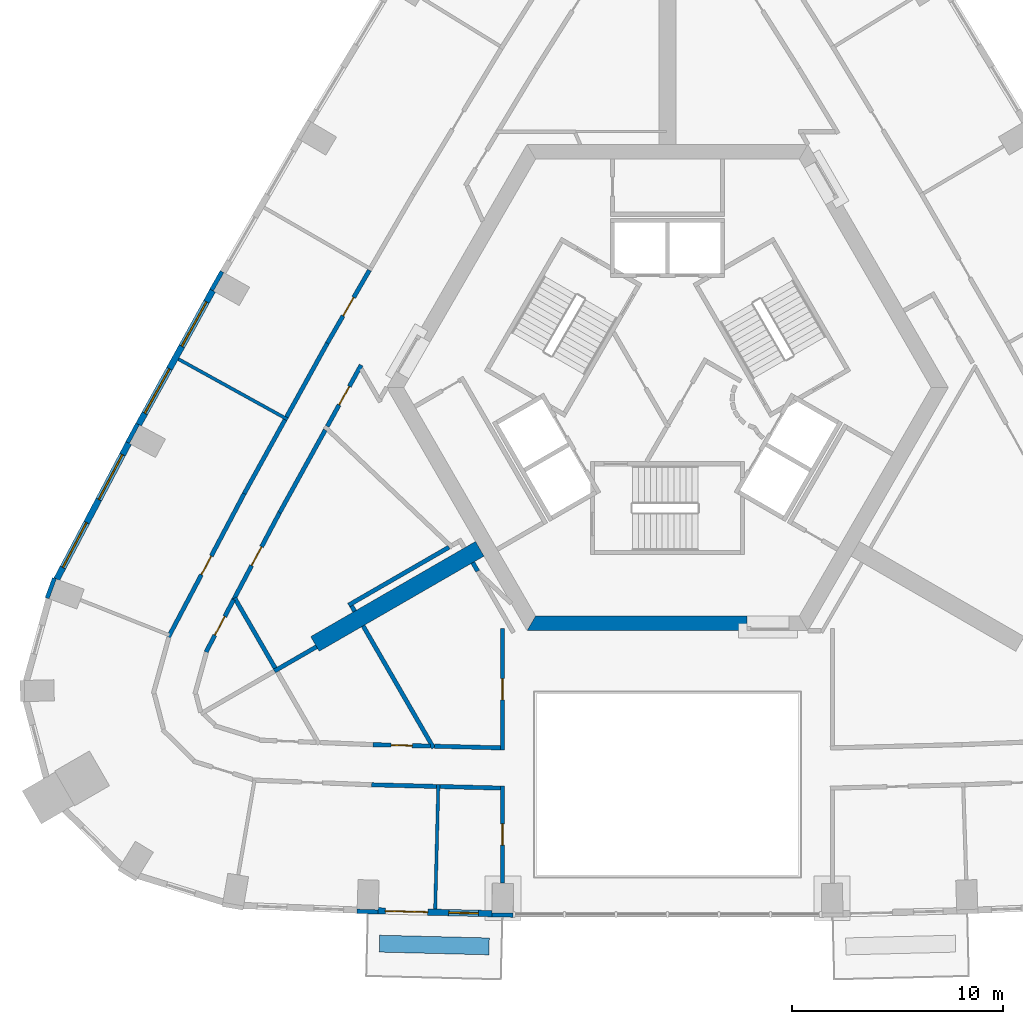
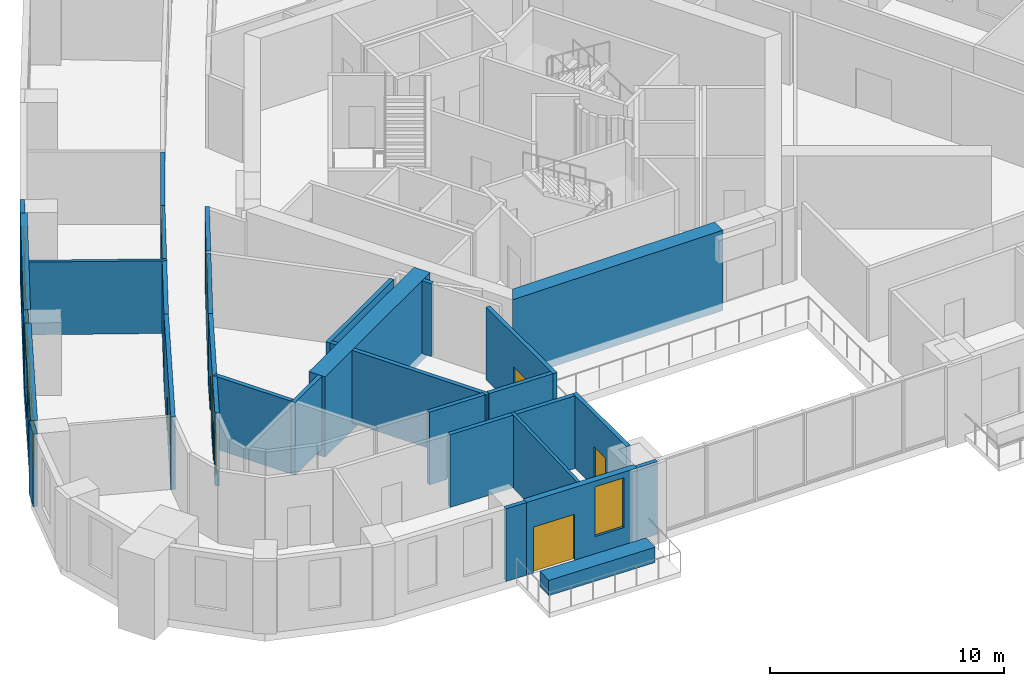
# One storey, part 4 of 11: 33 walls, 9 doors, 5 windows, 14 openings.
"""IFC4 building model written with IfcOpenShell, lengths in metres."""

from ifc_helpers import new_model, si_unit, direction, frame, frame_2d, origin, place, context, subcontext, project, spatial, polyline, rectangle, outline, extrude, material, layer, layer_set, type_object, element, fill, save


model = new_model("IFC4")

# Units and contexts
model_context = context("Model", 3, precision=1e-05, world=origin(), true_north=direction((0.0, 1.0)))
body_context = subcontext(model_context, "Body", "Model", "MODEL_VIEW")
ifc_project = project(units=[si_unit("LENGTHUNIT", "METRE"), si_unit("AREAUNIT", "SQUARE_METRE"), si_unit("VOLUMEUNIT", "CUBIC_METRE"), si_unit("PLANEANGLEUNIT", "RADIAN"), si_unit("MASSUNIT", "GRAM", prefix="KILO")], contexts=[model_context])

# Site, building, storey
site_placement = place(None, origin())
site = spatial("IfcSite", under=ifc_project, at=site_placement, CompositionType="ELEMENT")
building_placement = place(site_placement, origin())
building = spatial("IfcBuilding", under=site, at=building_placement, Name="Entoto Arch Interchange Tower", CompositionType="ELEMENT")
storey_placement = place(building_placement, frame((0.0, 0.0, 206.60009765625)))
storey = spatial("IfcBuildingStorey", under=building, at=storey_placement, Name="L46", CompositionType="ELEMENT", Elevation=206.60009765625)

# Walls
ifc_material_1 = material(Name="Concrete C50/60", Category="concrete")
ifc_layer_1 = layer(ifc_material_1, 0.800048828125)
ifc_layer_set_1 = layer_set([ifc_layer_1], Name="Concrete C50/60")
wall_type_1 = type_object("IfcWallType", Name="Buttress wall 800 C50/60", PredefinedType="SHEAR", material=ifc_layer_set_1)
wall_1_placement = place(storey_placement, frame((-8.876953125, -5.125, -0.400146484375), z_axis=(0.0, 0.0, 1.0), x_axis=(-0.866017533419, -0.500013631625, 0.0)))
element("IfcWall", 1, at=wall_1_placement, inside=storey, type_object=wall_type_1, Name="Buttress wall SW L46", PredefinedType="SHEAR", context=body_context, shape_type="SweptSolid", body=[
    extrude(rectangle(XDim=8.999755859375, YDim=0.800048828125, at=frame_2d((4.5, 0.0))), origin(), (0.0, 0.0, 1.0), 4.199951171875),
])
ifc_layer_2 = layer(ifc_material_1, 0.699951171875)
ifc_layer_set_2 = layer_set([ifc_layer_2], Name="Concrete C50/60")
wall_type_2 = type_object("IfcWallType", Name="Core wall 700 C50/60", PredefinedType="SHEAR", material=ifc_layer_set_2)
wall_2_placement = place(storey_placement, frame((0.0, 0.0, -0.400146484375)))
element("IfcWall", 2, at=wall_2_placement, inside=storey, type_object=wall_type_2, Name="Core wall S L46", PredefinedType="SHEAR", context=body_context, shape_type="SweptSolid", body=[
    extrude(outline(polyline([(3.75, -9.0), (3.75, -8.300048828125), (-6.235107421875, -8.300048828125), (-6.639892578125, -9.0), (3.75, -9.0)])), origin(), (0.0, 0.0, 1.0), 4.199951171875),
])
ifc_material_2 = material(Name="Gypsum board partition on steel studs", Category="steel")
ifc_layer_3 = layer(ifc_material_2, 0.14990234375)
ifc_layer_set_3 = layer_set([ifc_layer_3], Name="Gypsum board partition on steel studs")
wall_type_3 = type_object("IfcWallType", Name="PARTITION 150", PredefinedType="PARTITIONING", material=ifc_layer_set_3)
wall_3_placement = place(storey_placement, frame((-17.964111328125, 0.992919921875, 0.0), z_axis=(0.0, 0.0, 1.0), x_axis=(-0.875289017238, 0.483600182282, 0.0)))
element("IfcWall", 3, at=wall_3_placement, inside=storey, type_object=wall_type_3, Name="wall:L46:p119", PredefinedType="PARTITIONING", context=body_context, shape_type="SweptSolid", body=[
    extrude(rectangle(XDim=5.899658203125, YDim=0.14990234375, at=frame_2d((2.94970703125, 0.0))), origin(), (0.0, 0.0, 1.0), 3.7998046875),
])
wall_4_placement = place(storey_placement, frame((-10.8359375, -16.26611328125, 0.0), z_axis=(0.0, 0.0, 1.0), x_axis=(-0.025076969416, -0.999685523355, 0.0)))
element("IfcWall", 4, at=wall_4_placement, inside=storey, type_object=wall_type_3, Name="wall:L46:p122", PredefinedType="PARTITIONING", context=body_context, shape_type="SweptSolid", body=[
    extrude(rectangle(XDim=5.89990234375, YDim=0.14990234375, at=frame_2d((2.949951171875, 0.0))), origin(), (0.0, 0.0, 1.0), 3.7998046875),
])

# Wall, opening, door
ifc_layer_4 = layer(ifc_material_2, 0.199951171875)
ifc_layer_set_4 = layer_set([ifc_layer_4], Name="Gypsum board partition on steel studs")
wall_type_4 = type_object("IfcWallType", Name="PARTITION 200", PredefinedType="PARTITIONING", material=ifc_layer_set_4)
wall_5_placement = place(storey_placement, frame((-14.487060546875, 3.56396484375, 0.0), z_axis=(0.0, 0.0, 1.0), x_axis=(-0.483555199903, -0.875313868648, 0.0)))
wall_5 = element("IfcWall", 5, at=wall_5_placement, inside=storey, type_object=wall_type_4, Name="wall:L46:p025", PredefinedType="PARTITIONING", context=body_context, shape_type="SweptSolid", body=[
    extrude(rectangle(XDim=3.30859375, YDim=0.199951171875, at=frame_2d((1.654296875, 0.0))), origin(), (0.0, 0.0, 1.0), 3.7998046875),
])
opening_1_placement = place(wall_5_placement, frame((1.154052734375, 0.0, 0.0)))
opening_1 = element("IfcOpeningElement", 6, at=opening_1_placement, cuts=wall_5, Name="Opening L46-D19", PredefinedType="OPENING", context=body_context, shape_type="SweptSolid", body=[
    extrude(rectangle(XDim=1.0, YDim=2.10009765625, at=frame_2d((0.5, 1.050048828125))), frame((0.0, 0.10986328125, 0.0), z_axis=(0.0, -1.0, 0.0), x_axis=(1.0, 0.0, 0.0)), (0.0, 0.0, 1.0), 0.219970703125),
])
ifc_material_3 = material(Name="Timber door leaf in Steel S235 frame", Category="steel")
door_type_1 = type_object("IfcDoorType", Name="DOOR DS-10 1000x2100", OperationType="SINGLE_SWING_LEFT", PredefinedType="DOOR", material=ifc_material_3)
door_1_placement = place(opening_1_placement, origin())
door_1 = element("IfcDoor", 7, at=door_1_placement, inside=storey, type_object=door_type_1, Name="door:L46:19", OperationType="SINGLE_SWING_LEFT", OverallHeight=2.10009765625, OverallWidth=1.0, PredefinedType="DOOR", context=body_context, shape_type="SweptSolid", body=[
    extrude(rectangle(XDim=1.0, YDim=2.10009765625, at=frame_2d((0.5, 1.050048828125))), frame((0.0, 0.02490234375, 0.0), z_axis=(0.0, -1.0, 0.0), x_axis=(1.0, 0.0, 0.0)), (0.0, 0.0, 1.0), 0.050048828125),
])
fill(opening_1, door_1)

# Walls
wall_6_placement = place(storey_placement, frame((-11.009033203125, -14.4609375, 0.0), z_axis=(0.0, 0.0, 1.0), x_axis=(0.999684451251, -0.025119672116, 0.0)))
element("IfcWall", 8, at=wall_6_placement, inside=storey, type_object=wall_type_4, Name="wall:L46:p026", PredefinedType="PARTITIONING", context=body_context, shape_type="SweptSolid", body=[
    extrude(rectangle(XDim=3.110107421875, YDim=0.199951171875, at=frame_2d((1.55517578125, 0.0))), origin(), (0.0, 0.0, 1.0), 3.7998046875),
])
wall_7_placement = place(storey_placement, frame((-16.18408203125, 0.492919921875, 0.0), z_axis=(0.0, 0.0, 1.0), x_axis=(-0.48354397003, -0.875320072344, 0.0)))
element("IfcWall", 9, at=wall_7_placement, inside=storey, type_object=wall_type_4, Name="wall:L46:p027", PredefinedType="PARTITIONING", context=body_context, shape_type="SweptSolid", body=[
    extrude(rectangle(XDim=4.466796875, YDim=0.199951171875, at=frame_2d((2.2333984375, 0.0))), origin(), (0.0, 0.0, 1.0), 3.7998046875),
])

# Wall, opening, door
wall_8_placement = place(storey_placement, frame((-18.343994140625, -3.4169921875, 0.0), z_axis=(0.0, 0.0, 1.0), x_axis=(-0.466889669343, -0.884315575267, 0.0)))
wall_8 = element("IfcWall", 10, at=wall_8_placement, inside=storey, type_object=wall_type_4, Name="wall:L46:p028", PredefinedType="PARTITIONING", context=body_context, shape_type="SweptSolid", body=[
    extrude(rectangle(XDim=4.654296875, YDim=0.199951171875, at=frame_2d((2.3271484375, 0.0))), origin(), (0.0, 0.0, 1.0), 3.7998046875),
])
opening_2_placement = place(wall_8_placement, frame((1.826904296875, 0.0, 0.0)))
opening_2 = element("IfcOpeningElement", 11, at=opening_2_placement, cuts=wall_8, Name="Opening L46-D21", PredefinedType="OPENING", context=body_context, shape_type="SweptSolid", body=[
    extrude(rectangle(XDim=1.0, YDim=2.10009765625, at=frame_2d((0.5, 1.050048828125))), frame((0.0, 0.10986328125, 0.0), z_axis=(0.0, -1.0, 0.0), x_axis=(1.0, 0.0, 0.0)), (0.0, 0.0, 1.0), 0.219970703125),
])
door_2_placement = place(opening_2_placement, origin())
door_2 = element("IfcDoor", 12, at=door_2_placement, inside=storey, type_object=door_type_1, Name="door:L46:21", OperationType="SINGLE_SWING_LEFT", OverallHeight=2.10009765625, OverallWidth=1.0, PredefinedType="DOOR", context=body_context, shape_type="SweptSolid", body=[
    extrude(rectangle(XDim=1.0, YDim=2.10009765625, at=frame_2d((0.5, 1.050048828125))), frame((0.0, 0.02490234375, 0.0), z_axis=(0.0, -1.0, 0.0), x_axis=(1.0, 0.0, 0.0)), (0.0, 0.0, 1.0), 0.050048828125),
])
fill(opening_2, door_2)

wall_9_placement = place(storey_placement, frame((-13.925048828125, -14.386962890625, 0.0), z_axis=(0.0, 0.0, 1.0), x_axis=(0.999685678874, -0.025070768935, 0.0)))
wall_9 = element("IfcWall", 13, at=wall_9_placement, inside=storey, type_object=wall_type_4, Name="wall:L46:p030", PredefinedType="PARTITIONING", context=body_context, shape_type="SweptSolid", body=[
    extrude(rectangle(XDim=2.716796875, YDim=0.199951171875, at=frame_2d((1.3583984375, 0.0))), origin(), (0.0, 0.0, 1.0), 3.7998046875),
])
opening_3_placement = place(wall_9_placement, frame((0.85791015625, 0.0, 0.0)))
opening_3 = element("IfcOpeningElement", 14, at=opening_3_placement, cuts=wall_9, Name="Opening L46-D22", PredefinedType="OPENING", context=body_context, shape_type="SweptSolid", body=[
    extrude(rectangle(XDim=1.0, YDim=2.10009765625, at=frame_2d((0.5, 1.050048828125))), frame((0.0, 0.10986328125, 0.0), z_axis=(0.0, -1.0, 0.0), x_axis=(1.0, 0.0, 0.0)), (0.0, 0.0, 1.0), 0.219970703125),
])
door_3_placement = place(opening_3_placement, origin())
door_3 = element("IfcDoor", 15, at=door_3_placement, inside=storey, type_object=door_type_1, Name="door:L46:22", OperationType="SINGLE_SWING_LEFT", OverallHeight=2.10009765625, OverallWidth=1.0, PredefinedType="DOOR", context=body_context, shape_type="SweptSolid", body=[
    extrude(rectangle(XDim=1.0, YDim=2.10009765625, at=frame_2d((0.5, 1.050048828125))), frame((0.0, 0.02490234375, 0.0), z_axis=(0.0, -1.0, 0.0), x_axis=(1.0, 0.0, 0.0)), (0.0, 0.0, 1.0), 0.050048828125),
])
fill(opening_3, door_3)

wall_10_placement = place(storey_placement, frame((-20.51708984375, -7.532958984375, 0.0), z_axis=(0.0, 0.0, 1.0), x_axis=(-0.466570716246, -0.88448389852, 0.0)))
wall_10 = element("IfcWall", 16, at=wall_10_placement, inside=storey, type_object=wall_type_4, Name="wall:L46:p031", PredefinedType="PARTITIONING", context=body_context, shape_type="SweptSolid", body=[
    extrude(rectangle(XDim=2.794677734375, YDim=0.199951171875, at=frame_2d((1.3974609375, 0.0))), origin(), (0.0, 0.0, 1.0), 3.7998046875),
])
opening_4_placement = place(wall_10_placement, frame((0.89697265625, 0.0, 0.0)))
opening_4 = element("IfcOpeningElement", 17, at=opening_4_placement, cuts=wall_10, Name="Opening L46-D23", PredefinedType="OPENING", context=body_context, shape_type="SweptSolid", body=[
    extrude(rectangle(XDim=1.0, YDim=2.10009765625, at=frame_2d((0.5, 1.050048828125))), frame((0.0, 0.10986328125, 0.0), z_axis=(0.0, -1.0, 0.0), x_axis=(1.0, 0.0, 0.0)), (0.0, 0.0, 1.0), 0.219970703125),
])
door_4_placement = place(opening_4_placement, origin())
door_4 = element("IfcDoor", 18, at=door_4_placement, inside=storey, type_object=door_type_1, Name="door:L46:23", OperationType="SINGLE_SWING_LEFT", OverallHeight=2.10009765625, OverallWidth=1.0, PredefinedType="DOOR", context=body_context, shape_type="SweptSolid", body=[
    extrude(rectangle(XDim=1.0, YDim=2.10009765625, at=frame_2d((0.5, 1.050048828125))), frame((0.0, 0.02490234375, 0.0), z_axis=(0.0, -1.0, 0.0), x_axis=(1.0, 0.0, 0.0)), (0.0, 0.0, 1.0), 0.050048828125),
])
fill(opening_4, door_4)

# Wall
wall_11_placement = place(storey_placement, frame((-18.014892578125, 1.10693359375, 0.0), z_axis=(0.0, 0.0, 1.0), x_axis=(0.483551557311, 0.875315880938, 0.0)))
element("IfcWall", 19, at=wall_11_placement, inside=storey, type_object=wall_type_4, Name="wall:L46:p055", PredefinedType="PARTITIONING", context=body_context, shape_type="SweptSolid", body=[
    extrude(rectangle(XDim=3.987060546875, YDim=0.199951171875, at=frame_2d((1.99365234375, 0.0))), origin(), (0.0, 0.0, 1.0), 3.7998046875),
])

# Wall, opening, door
wall_12_placement = place(storey_placement, frame((-16.0869140625, 4.596923828125, 0.0), z_axis=(0.0, 0.0, 1.0), x_axis=(0.499860276602, 0.866106058099, 0.0)))
wall_12 = element("IfcWall", 20, at=wall_12_placement, inside=storey, type_object=wall_type_4, Name="wall:L46:p056", PredefinedType="PARTITIONING", context=body_context, shape_type="SweptSolid", body=[
    extrude(rectangle(XDim=3.987060546875, YDim=0.199951171875, at=frame_2d((1.99365234375, 0.0))), origin(), (0.0, 0.0, 1.0), 3.7998046875),
])
opening_5_placement = place(wall_12_placement, frame((1.493896484375, 0.0, 0.0)))
opening_5 = element("IfcOpeningElement", 21, at=opening_5_placement, cuts=wall_12, Name="Opening L46-D11", PredefinedType="OPENING", context=body_context, shape_type="SweptSolid", body=[
    extrude(rectangle(XDim=1.0, YDim=2.10009765625, at=frame_2d((0.5, 1.050048828125))), frame((0.0, 0.10986328125, 0.0), z_axis=(0.0, -1.0, 0.0), x_axis=(1.0, 0.0, 0.0)), (0.0, 0.0, 1.0), 0.219970703125),
])
door_5_placement = place(opening_5_placement, origin())
door_5 = element("IfcDoor", 22, at=door_5_placement, inside=storey, type_object=door_type_1, Name="door:L46:11", OperationType="SINGLE_SWING_LEFT", OverallHeight=2.10009765625, OverallWidth=1.0, PredefinedType="DOOR", context=body_context, shape_type="SweptSolid", body=[
    extrude(rectangle(XDim=1.0, YDim=2.10009765625, at=frame_2d((0.5, 1.050048828125))), frame((0.0, 0.02490234375, 0.0), z_axis=(0.0, -1.0, 0.0), x_axis=(1.0, 0.0, 0.0)), (0.0, 0.0, 1.0), 0.050048828125),
])
fill(opening_5, door_5)

wall_13_placement = place(storey_placement, frame((-23.597900390625, -9.301025390625, 0.0), z_axis=(0.0, 0.0, 1.0), x_axis=(0.466852608943, 0.884335140952, 0.0)))
wall_13 = element("IfcWall", 23, at=wall_13_placement, inside=storey, type_object=wall_type_4, Name="wall:L46:p057", PredefinedType="PARTITIONING", context=body_context, shape_type="SweptSolid", body=[
    extrude(rectangle(XDim=7.6748046875, YDim=0.199951171875, at=frame_2d((3.83740234375, 0.0))), origin(), (0.0, 0.0, 1.0), 3.7998046875),
])
opening_6_placement = place(wall_13_placement, frame((3.3369140625, 0.0, 0.0)))
opening_6 = element("IfcOpeningElement", 24, at=opening_6_placement, cuts=wall_13, Name="Opening L46-D12", PredefinedType="OPENING", context=body_context, shape_type="SweptSolid", body=[
    extrude(rectangle(XDim=1.0, YDim=2.10009765625, at=frame_2d((0.5, 1.050048828125))), frame((0.0, 0.10986328125, 0.0), z_axis=(0.0, -1.0, 0.0), x_axis=(1.0, 0.0, 0.0)), (0.0, 0.0, 1.0), 0.219970703125),
])
door_6_placement = place(opening_6_placement, origin())
door_6 = element("IfcDoor", 25, at=door_6_placement, inside=storey, type_object=door_type_1, Name="door:L46:12", OperationType="SINGLE_SWING_LEFT", OverallHeight=2.10009765625, OverallWidth=1.0, PredefinedType="DOOR", context=body_context, shape_type="SweptSolid", body=[
    extrude(rectangle(XDim=1.0, YDim=2.10009765625, at=frame_2d((0.5, 1.050048828125))), frame((0.0, 0.02490234375, 0.0), z_axis=(0.0, -1.0, 0.0), x_axis=(1.0, 0.0, 0.0)), (0.0, 0.0, 1.0), 0.050048828125),
])
fill(opening_6, door_6)

# Walls
wall_14_placement = place(storey_placement, frame((-20.014892578125, -2.513916015625, 0.0), z_axis=(0.0, 0.0, 1.0), x_axis=(0.483363864601, 0.875419541933, 0.0)))
element("IfcWall", 26, at=wall_14_placement, inside=storey, type_object=wall_type_4, Name="wall:L46:p058", PredefinedType="PARTITIONING", context=body_context, shape_type="SweptSolid", body=[
    extrude(rectangle(XDim=3.986572265625, YDim=0.199951171875, at=frame_2d((1.9931640625, 0.0))), origin(), (0.0, 0.0, 1.0), 3.7998046875),
])
wall_15_placement = place(storey_placement, frame((-10.9130859375, -16.364013671875, 0.0), z_axis=(0.0, 0.0, 1.0), x_axis=(-0.999676990694, 0.02541484365, 0.0)))
element("IfcWall", 27, at=wall_15_placement, inside=storey, type_object=wall_type_4, Name="wall:L46:p063", PredefinedType="PARTITIONING", context=body_context, shape_type="SweptSolid", body=[
    extrude(rectangle(XDim=3.073974609375, YDim=0.199951171875, at=frame_2d((1.537109375, 0.0))), origin(), (0.0, 0.0, 1.0), 3.7998046875),
])
wall_16_placement = place(storey_placement, frame((-7.89990234375, -16.43994140625, 0.0), z_axis=(0.0, 0.0, 1.0), x_axis=(-0.999675117104, 0.025488433531, 0.0)))
element("IfcWall", 28, at=wall_16_placement, inside=storey, type_object=wall_type_4, Name="wall:L46:p065", PredefinedType="PARTITIONING", context=body_context, shape_type="SweptSolid", body=[
    extrude(rectangle(XDim=2.864013671875, YDim=0.199951171875, at=frame_2d((1.43212890625, 0.0))), origin(), (0.0, 0.0, 1.0), 3.7998046875),
])

# Wall, opening, door
wall_17_placement = place(storey_placement, frame((-7.800048828125, -14.64111328125, 0.0), z_axis=(0.0, 0.0, 1.0), x_axis=(0.0, 1.0, 0.0)))
wall_17 = element("IfcWall", 29, at=wall_17_placement, inside=storey, type_object=wall_type_4, Name="wall:L46:p093", PredefinedType="PARTITIONING", context=body_context, shape_type="SweptSolid", body=[
    extrude(rectangle(XDim=5.7421875, YDim=0.199951171875, at=frame_2d((2.87109375, 0.0))), origin(), (0.0, 0.0, 1.0), 3.7998046875),
])
opening_7_placement = place(wall_17_placement, frame((2.37109375, 0.0, 0.0)))
opening_7 = element("IfcOpeningElement", 30, at=opening_7_placement, cuts=wall_17, Name="Opening L46-D20", PredefinedType="OPENING", context=body_context, shape_type="SweptSolid", body=[
    extrude(rectangle(XDim=1.0, YDim=2.10009765625, at=frame_2d((0.5, 1.050048828125))), frame((0.0, 0.10986328125, 0.0), z_axis=(0.0, -1.0, 0.0), x_axis=(1.0, 0.0, 0.0)), (0.0, 0.0, 1.0), 0.219970703125),
])
door_7_placement = place(opening_7_placement, origin())
door_7 = element("IfcDoor", 31, at=door_7_placement, inside=storey, type_object=door_type_1, Name="door:L46:20", OperationType="SINGLE_SWING_LEFT", OverallHeight=2.10009765625, OverallWidth=1.0, PredefinedType="DOOR", context=body_context, shape_type="SweptSolid", body=[
    extrude(rectangle(XDim=1.0, YDim=2.10009765625, at=frame_2d((0.5, 1.050048828125))), frame((0.0, 0.02490234375, 0.0), z_axis=(0.0, -1.0, 0.0), x_axis=(1.0, 0.0, 0.0)), (0.0, 0.0, 1.0), 0.050048828125),
])
fill(opening_7, door_7)

wall_18_placement = place(storey_placement, frame((-7.800048828125, -20.924072265625, 0.0), z_axis=(0.0, 0.0, 1.0), x_axis=(0.0, 1.0, 0.0)))
wall_18 = element("IfcWall", 32, at=wall_18_placement, inside=storey, type_object=wall_type_4, Name="wall:L46:p096", PredefinedType="PARTITIONING", context=body_context, shape_type="SweptSolid", body=[
    extrude(rectangle(XDim=4.58203125, YDim=0.199951171875, at=frame_2d((2.291015625, 0.0))), origin(), (0.0, 0.0, 1.0), 3.7998046875),
])
opening_8_placement = place(wall_18_placement, frame((1.791015625, 0.0, 0.0)))
opening_8 = element("IfcOpeningElement", 33, at=opening_8_placement, cuts=wall_18, Name="Opening L46-D15", PredefinedType="OPENING", context=body_context, shape_type="SweptSolid", body=[
    extrude(rectangle(XDim=1.0, YDim=2.10009765625, at=frame_2d((0.5, 1.050048828125))), frame((0.0, 0.10986328125, 0.0), z_axis=(0.0, -1.0, 0.0), x_axis=(1.0, 0.0, 0.0)), (0.0, 0.0, 1.0), 0.219970703125),
])
door_8_placement = place(opening_8_placement, origin())
door_8 = element("IfcDoor", 34, at=door_8_placement, inside=storey, type_object=door_type_1, Name="door:L46:15", OperationType="SINGLE_SWING_LEFT", OverallHeight=2.10009765625, OverallWidth=1.0, PredefinedType="DOOR", context=body_context, shape_type="SweptSolid", body=[
    extrude(rectangle(XDim=1.0, YDim=2.10009765625, at=frame_2d((0.5, 1.050048828125))), frame((0.0, 0.02490234375, 0.0), z_axis=(0.0, -1.0, 0.0), x_axis=(1.0, 0.0, 0.0)), (0.0, 0.0, 1.0), 0.050048828125),
])
fill(opening_8, door_8)

# Walls
wall_19_placement = place(storey_placement, frame((-8.972900390625, -6.18310546875, 0.0), z_axis=(0.0, 0.0, 1.0), x_axis=(-0.499557093027, 0.86628096528, 0.0)))
element("IfcWall", 35, at=wall_19_placement, inside=storey, type_object=wall_type_4, Name="wall:L46:p099", PredefinedType="PARTITIONING", context=body_context, shape_type="SweptSolid", body=[
    extrude(rectangle(XDim=0.46875, YDim=0.199951171875, at=frame_2d((0.234375, 0.0))), origin(), (0.0, 0.0, 1.0), 3.7998046875),
])
wall_20_placement = place(storey_placement, frame((-14.7919921875, -8.077880859375, 0.0), z_axis=(0.0, 0.0, 1.0), x_axis=(-0.50241736454, 0.864625231999, 0.0)))
element("IfcWall", 36, at=wall_20_placement, inside=storey, type_object=wall_type_4, Name="wall:L46:p102", PredefinedType="PARTITIONING", context=body_context, shape_type="SweptSolid", body=[
    extrude(rectangle(XDim=0.29248046875, YDim=0.199951171875, at=frame_2d((0.146240234375, 0.0))), origin(), (0.0, 0.0, 1.0), 3.7998046875),
])
wall_21_placement = place(storey_placement, frame((-15.075927734375, -7.7880859375, 0.0), z_axis=(0.0, 0.0, 1.0), x_axis=(0.866092814325, 0.499883223337, 0.0)))
element("IfcWall", 37, at=wall_21_placement, inside=storey, type_object=wall_type_4, Name="wall:L46:p103", PredefinedType="PARTITIONING", context=body_context, shape_type="SweptSolid", body=[
    extrude(rectangle(XDim=5.477294921875, YDim=0.199951171875, at=frame_2d((2.73876953125, 0.0))), origin(), (0.0, 0.0, 1.0), 3.7998046875),
])
wall_22_placement = place(storey_placement, frame((-11.05908203125, -14.544921875, 0.0), z_axis=(0.0, 0.0, 1.0), x_axis=(-0.499935899035, 0.866062409331, 0.0)))
element("IfcWall", 38, at=wall_22_placement, inside=storey, type_object=wall_type_4, Name="wall:L46:p104", PredefinedType="PARTITIONING", context=body_context, shape_type="SweptSolid", body=[
    extrude(rectangle(XDim=6.6669921875, YDim=0.199951171875, at=frame_2d((3.33349609375, 0.0))), origin(), (0.0, 0.0, 1.0), 3.7998046875),
])
wall_23_placement = place(storey_placement, frame((-16.594970703125, -9.757080078125, 0.0), z_axis=(0.0, 0.0, 1.0), x_axis=(-0.866053019151, -0.499952165731, 0.0)))
element("IfcWall", 39, at=wall_23_placement, inside=storey, type_object=wall_type_4, Name="wall:L46:p105", PredefinedType="PARTITIONING", context=body_context, shape_type="SweptSolid", body=[
    extrude(rectangle(XDim=2.300048828125, YDim=0.199951171875, at=frame_2d((1.14990234375, 0.0))), origin(), (0.0, 0.0, 1.0), 3.7998046875),
])
wall_24_placement = place(storey_placement, frame((-18.550048828125, -10.77001953125, 0.0), z_axis=(0.0, 0.0, 1.0), x_axis=(-0.500050869834, 0.86599603208, 0.0)))
element("IfcWall", 40, at=wall_24_placement, inside=storey, type_object=wall_type_4, Name="wall:L46:p106", PredefinedType="PARTITIONING", context=body_context, shape_type="SweptSolid", body=[
    extrude(rectangle(XDim=3.83935546875, YDim=0.199951171875, at=frame_2d((1.919677734375, 0.0))), origin(), (0.0, 0.0, 1.0), 3.7998046875),
])
ifc_material_4 = material(Name="Board-marked precast concrete C50/60", Category="concrete")
ifc_layer_5 = layer(ifc_material_4, 0.800048828125)
ifc_layer_set_5 = layer_set([ifc_layer_5], Name="Board-marked precast concrete C50/60")
wall_type_5 = type_object("IfcWallType", Name="PLANTER RC 800 Juniperus procera", PredefinedType="STANDARD", material=ifc_layer_set_5)
wall_25_placement = place(storey_placement, frame((-13.6201171875, -23.798095703125, 0.0), z_axis=(0.0, 0.0, 1.0), x_axis=(0.999686410355, -0.025041584439, 0.0)))
element("IfcWall", 41, at=wall_25_placement, inside=storey, type_object=wall_type_5, Name="Planter S-02 L46", PredefinedType="STANDARD", context=body_context, shape_type="SweptSolid", body=[
    extrude(rectangle(XDim=5.186767578125, YDim=0.800048828125, at=frame_2d((2.59326171875, 0.0))), origin(), (0.0, 0.0, 1.0), 0.7998046875),
])

# Wall, openings, door, window
ifc_material_5 = material(Name="Welded tuff (ignimbrite) cladding, warm buff", Category="masonry")
ifc_layer_6 = layer(ifc_material_5, 0.300048828125)
ifc_layer_set_6 = layer_set([ifc_layer_6], Name="Welded tuff (ignimbrite) cladding, warm buff")
wall_type_6 = type_object("IfcWallType", Name="STONE INFILL WALL 300", PredefinedType="STANDARD", material=ifc_layer_set_6)
wall_26_placement = place(storey_placement, frame((-13.680908203125, -22.24609375, 0.0), z_axis=(0.0, 0.0, 1.0), x_axis=(0.999685717988, -0.025069209235, 0.0)))
wall_26 = element("IfcWall", 42, at=wall_26_placement, inside=storey, type_object=wall_type_6, Name="Facade wall S-02 L46", PredefinedType="STANDARD", context=body_context, shape_type="SweptSolid", body=[
    extrude(rectangle(XDim=5.385498046875, YDim=0.300048828125, at=frame_2d((2.69287109375, 0.0))), origin(), (0.0, 0.0, 1.0), 3.7998046875),
])
opening_9_placement = place(wall_26_placement, frame((0.345947265625, 0.0, 0.0)))
opening_9 = element("IfcOpeningElement", 43, at=opening_9_placement, cuts=wall_26, Name="Opening DB-S-02-L46", PredefinedType="OPENING", context=body_context, shape_type="SweptSolid", body=[
    extrude(rectangle(XDim=2.0, YDim=2.39990234375, at=frame_2d((1.0, 1.199951171875))), frame((0.0, 0.16015625, 0.0), z_axis=(0.0, -1.0, 0.0), x_axis=(1.0, 0.0, 0.0)), (0.0, 0.0, 1.0), 0.320068359375),
])
opening_10_placement = place(wall_26_placement, frame((3.339111328125, 0.0, 0.89990234375)))
opening_10 = element("IfcOpeningElement", 44, at=opening_10_placement, cuts=wall_26, Name="Opening WO-B", PredefinedType="OPENING", context=body_context, shape_type="SweptSolid", body=[
    extrude(rectangle(XDim=1.39990234375, YDim=2.60009765625, at=frame_2d((0.699951171875, 1.300048828125))), frame((0.0, 0.16015625, 0.0), z_axis=(0.0, -1.0, 0.0), x_axis=(1.0, 0.0, 0.0)), (0.0, 0.0, 1.0), 0.320068359375),
])
ifc_material_6 = material(Name="Aluminium and clear glass, anodised", Category="aluminium")
door_type_2 = type_object("IfcDoorType", Name="BALCONY DOOR DB 2000x2400", OperationType="SLIDING_TO_LEFT", PredefinedType="DOOR", material=ifc_material_6)
door_9_placement = place(opening_9_placement, origin())
door_9 = element("IfcDoor", 45, at=door_9_placement, inside=storey, type_object=door_type_2, Name="Balcony door S-02 L46", OperationType="SLIDING_TO_LEFT", OverallHeight=2.39990234375, OverallWidth=2.0, PredefinedType="DOOR", context=body_context, shape_type="SweptSolid", body=[
    extrude(rectangle(XDim=2.0, YDim=2.39990234375, at=frame_2d((1.0, 1.199951171875))), frame((0.0, 0.02490234375, 0.0), z_axis=(0.0, -1.0, 0.0), x_axis=(1.0, 0.0, 0.0)), (0.0, 0.0, 1.0), 0.050048828125),
])
fill(opening_9, door_9)
ifc_material_7 = material(Name="Clear glass, low-e double glazed", Category="glass")
window_type_1 = type_object("IfcWindowType", Name="WINDOW WO-B 1400x2600", PartitioningType="DOUBLE_PANEL_VERTICAL", PredefinedType="WINDOW", material=ifc_material_7)
window_1_placement = place(opening_10_placement, origin())
window_1 = element("IfcWindow", 46, at=window_1_placement, inside=storey, type_object=window_type_1, Name="Window WO-B S-02 L46", OverallHeight=2.60009765625, OverallWidth=1.39990234375, PartitioningType="SINGLE_PANEL", PredefinedType="WINDOW", context=body_context, shape_type="SweptSolid", body=[
    extrude(rectangle(XDim=1.39990234375, YDim=2.60009765625, at=frame_2d((0.699951171875, 1.300048828125))), frame((0.0, 0.030029296875, 0.0), z_axis=(0.0, -1.0, 0.0), x_axis=(1.0, 0.0, 0.0)), (0.0, 0.0, 1.0), 0.06005859375),
])
fill(opening_10, window_1)

# Wall, openings, windows
wall_27_placement = place(storey_placement, frame((-21.510009765625, 7.0859375, 0.0), z_axis=(0.0, 0.0, 1.0), x_axis=(-0.483590905878, -0.875294142419, 0.0)))
wall_27 = element("IfcWall", 47, at=wall_27_placement, inside=storey, type_object=wall_type_6, Name="Facade wall NW-04 L46", PredefinedType="STANDARD", context=body_context, shape_type="SweptSolid", body=[
    extrude(rectangle(XDim=7.237548828125, YDim=0.300048828125, at=frame_2d((3.61865234375, 0.0))), origin(), (0.0, 0.0, 1.0), 3.7998046875),
])
opening_11_placement = place(wall_27_placement, frame((0.60888671875, 0.0, 0.89990234375)))
opening_11 = element("IfcOpeningElement", 48, at=opening_11_placement, cuts=wall_27, Name="Opening WO-A", PredefinedType="OPENING", context=body_context, shape_type="SweptSolid", body=[
    extrude(rectangle(XDim=2.39990234375, YDim=2.60009765625, at=frame_2d((1.199951171875, 1.300048828125))), frame((0.0, 0.16015625, 0.0), z_axis=(0.0, -1.0, 0.0), x_axis=(1.0, 0.0, 0.0)), (0.0, 0.0, 1.0), 0.320068359375),
])
opening_12_placement = place(wall_27_placement, frame((4.22802734375, 0.0, 0.89990234375)))
opening_12 = element("IfcOpeningElement", 49, at=opening_12_placement, cuts=wall_27, Name="Opening WO-A", PredefinedType="OPENING", context=body_context, shape_type="SweptSolid", body=[
    extrude(rectangle(XDim=2.39990234375, YDim=2.60009765625, at=frame_2d((1.199951171875, 1.300048828125))), frame((0.0, 0.16015625, 0.0), z_axis=(0.0, -1.0, 0.0), x_axis=(1.0, 0.0, 0.0)), (0.0, 0.0, 1.0), 0.320068359375),
])
window_type_2 = type_object("IfcWindowType", Name="WINDOW WO-A 2400x2600", PartitioningType="DOUBLE_PANEL_VERTICAL", PredefinedType="WINDOW", material=ifc_material_7)
window_2_placement = place(opening_11_placement, origin())
window_2 = element("IfcWindow", 50, at=window_2_placement, inside=storey, type_object=window_type_2, Name="Window WO-A NW-04 L46", OverallHeight=2.60009765625, OverallWidth=2.39990234375, PartitioningType="SINGLE_PANEL", PredefinedType="WINDOW", context=body_context, shape_type="SweptSolid", body=[
    extrude(rectangle(XDim=2.39990234375, YDim=2.60009765625, at=frame_2d((1.199951171875, 1.300048828125))), frame((0.0, 0.030029296875, 0.0), z_axis=(0.0, -1.0, 0.0), x_axis=(1.0, 0.0, 0.0)), (0.0, 0.0, 1.0), 0.06005859375),
])
fill(opening_11, window_2)
window_3_placement = place(opening_12_placement, origin())
window_3 = element("IfcWindow", 51, at=window_3_placement, inside=storey, type_object=window_type_2, Name="Window WO-A NW-04 L46", OverallHeight=2.60009765625, OverallWidth=2.39990234375, PartitioningType="SINGLE_PANEL", PredefinedType="WINDOW", context=body_context, shape_type="SweptSolid", body=[
    extrude(rectangle(XDim=2.39990234375, YDim=2.60009765625, at=frame_2d((1.199951171875, 1.300048828125))), frame((0.0, 0.030029296875, 0.0), z_axis=(0.0, -1.0, 0.0), x_axis=(1.0, 0.0, 0.0)), (0.0, 0.0, 1.0), 0.06005859375),
])
fill(opening_12, window_3)

wall_28_placement = place(storey_placement, frame((-25.48388671875, -0.126953125, 0.0), z_axis=(0.0, 0.0, 1.0), x_axis=(-0.466789249342, -0.884368586449, 0.0)))
wall_28 = element("IfcWall", 52, at=wall_28_placement, inside=storey, type_object=wall_type_6, Name="Facade wall NW-05 L46", PredefinedType="STANDARD", context=body_context, shape_type="SweptSolid", body=[
    extrude(rectangle(XDim=7.273193359375, YDim=0.300048828125, at=frame_2d((3.63671875, 0.0))), origin(), (0.0, 0.0, 1.0), 3.7998046875),
])
opening_13_placement = place(wall_28_placement, frame((0.617919921875, 0.0, 0.89990234375)))
opening_13 = element("IfcOpeningElement", 53, at=opening_13_placement, cuts=wall_28, Name="Opening WO-A", PredefinedType="OPENING", context=body_context, shape_type="SweptSolid", body=[
    extrude(rectangle(XDim=2.39990234375, YDim=2.60009765625, at=frame_2d((1.199951171875, 1.300048828125))), frame((0.0, 0.16015625, 0.0), z_axis=(0.0, -1.0, 0.0), x_axis=(1.0, 0.0, 0.0)), (0.0, 0.0, 1.0), 0.320068359375),
])
opening_14_placement = place(wall_28_placement, frame((4.2548828125, 0.0, 0.89990234375)))
opening_14 = element("IfcOpeningElement", 54, at=opening_14_placement, cuts=wall_28, Name="Opening WO-A", PredefinedType="OPENING", context=body_context, shape_type="SweptSolid", body=[
    extrude(rectangle(XDim=2.39990234375, YDim=2.60009765625, at=frame_2d((1.199951171875, 1.300048828125))), frame((0.0, 0.16015625, 0.0), z_axis=(0.0, -1.0, 0.0), x_axis=(1.0, 0.0, 0.0)), (0.0, 0.0, 1.0), 0.320068359375),
])
window_4_placement = place(opening_13_placement, origin())
window_4 = element("IfcWindow", 55, at=window_4_placement, inside=storey, type_object=window_type_2, Name="Window WO-A NW-05 L46", OverallHeight=2.60009765625, OverallWidth=2.39990234375, PartitioningType="SINGLE_PANEL", PredefinedType="WINDOW", context=body_context, shape_type="SweptSolid", body=[
    extrude(rectangle(XDim=2.39990234375, YDim=2.60009765625, at=frame_2d((1.199951171875, 1.300048828125))), frame((0.0, 0.030029296875, 0.0), z_axis=(0.0, -1.0, 0.0), x_axis=(1.0, 0.0, 0.0)), (0.0, 0.0, 1.0), 0.06005859375),
])
fill(opening_13, window_4)
window_5_placement = place(opening_14_placement, origin())
window_5 = element("IfcWindow", 56, at=window_5_placement, inside=storey, type_object=window_type_2, Name="Window WO-A NW-05 L46", OverallHeight=2.60009765625, OverallWidth=2.39990234375, PartitioningType="SINGLE_PANEL", PredefinedType="WINDOW", context=body_context, shape_type="SweptSolid", body=[
    extrude(rectangle(XDim=2.39990234375, YDim=2.60009765625, at=frame_2d((1.199951171875, 1.300048828125))), frame((0.0, 0.030029296875, 0.0), z_axis=(0.0, -1.0, 0.0), x_axis=(1.0, 0.0, 0.0)), (0.0, 0.0, 1.0), 0.06005859375),
])
fill(opening_14, window_5)

# Walls
ifc_layer_7 = layer(ifc_material_5, 0.199951171875)
ifc_layer_set_7 = layer_set([ifc_layer_7], Name="Welded tuff (ignimbrite) cladding, warm buff")
wall_type_7 = type_object("IfcWallType", Name="STONE PIER CLADDING 200", PredefinedType="STANDARD", material=ifc_layer_set_7)
wall_29_placement = place(storey_placement, frame((-21.06591796875, 7.98291015625, 0.0), z_axis=(0.0, 0.0, 1.0), x_axis=(-0.492033129803, -0.870576475202, 0.0)))
element("IfcWall", 57, at=wall_29_placement, inside=storey, type_object=wall_type_7, Name="Stone pier NW04 L46", PredefinedType="STANDARD", context=body_context, shape_type="SweptSolid", body=[
    extrude(rectangle(XDim=1.000244140625, YDim=0.199951171875, at=frame_2d((0.5, 0.0))), origin(), (0.0, 0.0, 1.0), 3.7998046875),
])
wall_30_placement = place(storey_placement, frame((-25.05810546875, 0.778076171875, 0.0), z_axis=(0.0, 0.0, 1.0), x_axis=(-0.473663196434, -0.88070606694, 0.0)))
element("IfcWall", 58, at=wall_30_placement, inside=storey, type_object=wall_type_7, Name="Stone pier NW05 L46", PredefinedType="STANDARD", context=body_context, shape_type="SweptSolid", body=[
    extrude(rectangle(XDim=1.00048828125, YDim=0.199951171875, at=frame_2d((0.500244140625, 0.0))), origin(), (0.0, 0.0, 1.0), 3.7998046875),
])
wall_31_placement = place(storey_placement, frame((-28.989013671875, -6.51806640625, 0.0), z_axis=(0.0, 0.0, 1.0), x_axis=(-0.346892928577, -0.937904737222, 0.0)))
element("IfcWall", 59, at=wall_31_placement, inside=storey, type_object=wall_type_7, Name="Stone pier NW06 L46", PredefinedType="STANDARD", context=body_context, shape_type="SweptSolid", body=[
    extrude(rectangle(XDim=1.0, YDim=0.199951171875, at=frame_2d((0.5, 0.0))), origin(), (0.0, 0.0, 1.0), 3.7998046875),
])
wall_32_placement = place(storey_placement, frame((-14.680908203125, -22.26611328125, 0.0), z_axis=(0.0, 0.0, 1.0), x_axis=(0.999423561854, -0.033949138587, 0.0)))
element("IfcWall", 60, at=wall_32_placement, inside=storey, type_object=wall_type_7, Name="Stone pier S02 L46", PredefinedType="STANDARD", context=body_context, shape_type="SweptSolid", body=[
    extrude(rectangle(XDim=0.99951171875, YDim=0.199951171875, at=frame_2d((0.499755859375, 0.0))), origin(), (0.0, 0.0, 1.0), 3.7998046875),
])
wall_33_placement = place(storey_placement, frame((-8.299072265625, -22.43701171875, 0.0), z_axis=(0.0, 0.0, 1.0), x_axis=(0.999903186316, -0.013914668364, 0.0)))
element("IfcWall", 61, at=wall_33_placement, inside=storey, type_object=wall_type_7, Name="Stone pier S03 L46", PredefinedType="STANDARD", context=body_context, shape_type="SweptSolid", body=[
    extrude(rectangle(XDim=1.0, YDim=0.199951171875, at=frame_2d((0.5, 0.0))), origin(), (0.0, 0.0, 1.0), 3.7998046875),
])

save(model, "model.ifc")
